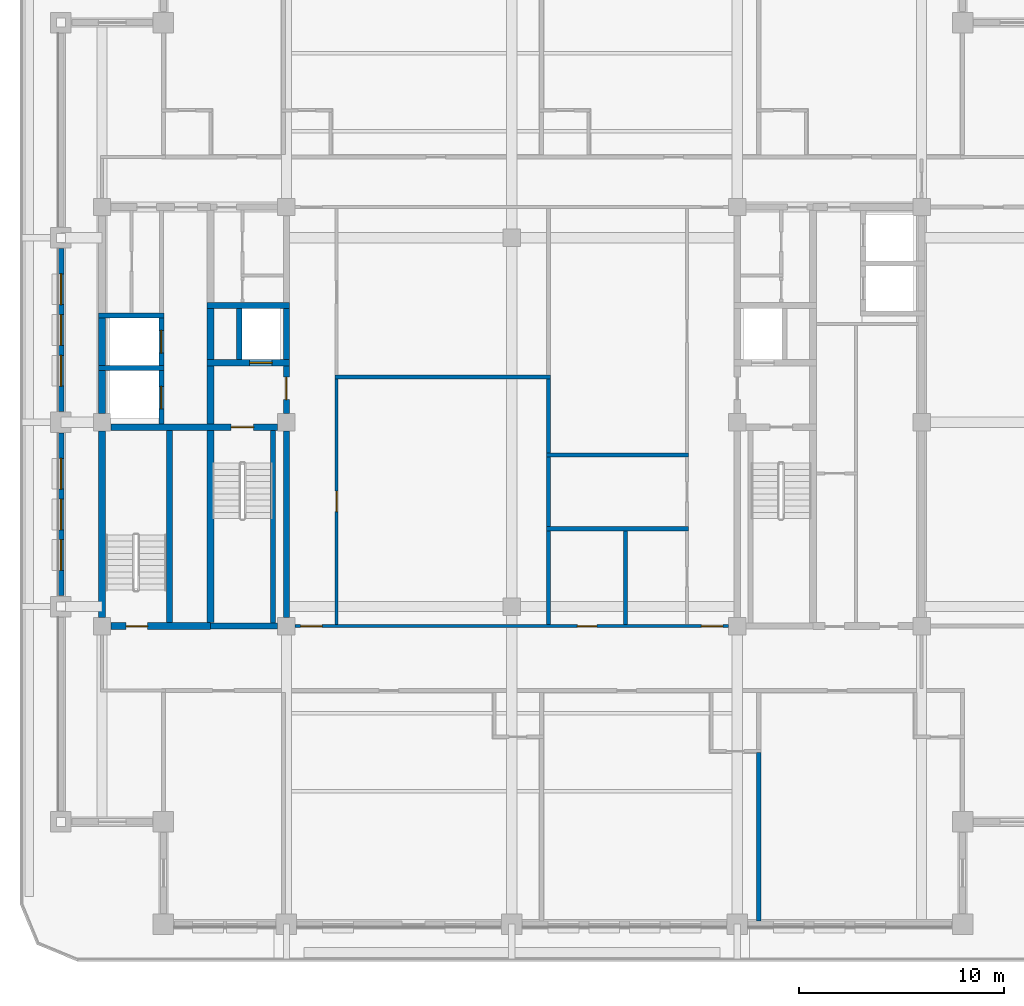
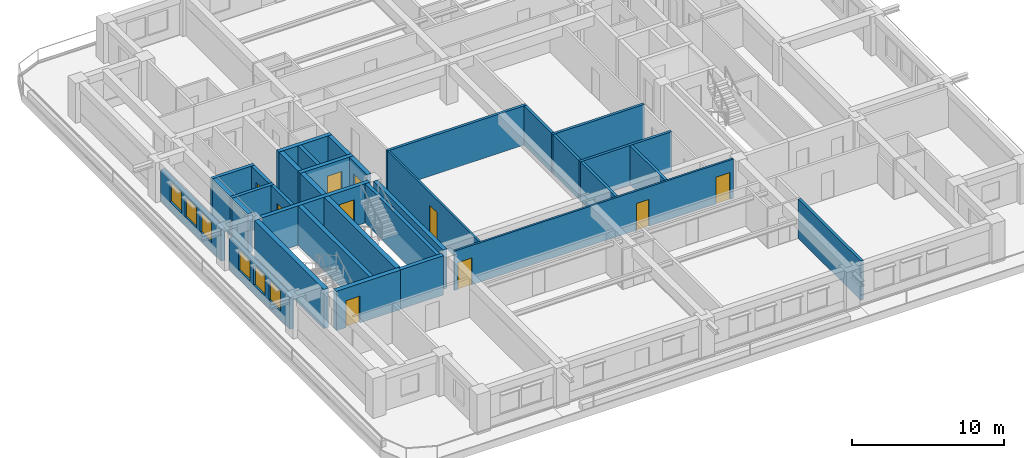
# One storey, part 3 of 14: 33 walls, 10 doors, 6 windows, 16 openings.
"""IFC4 building model written with IfcOpenShell, lengths in metres."""

from ifc_helpers import new_model, si_unit, direction, frame, frame_2d, origin, place, context, subcontext, project, spatial, rectangle, extrude, material, layer, layer_set, type_object, element, fill, save


model = new_model("IFC4")

# Units and contexts
model_context = context("Model", 3, precision=1e-05, world=origin(), true_north=direction((0.0, 1.0)))
body_context = subcontext(model_context, "Body", "Model", "MODEL_VIEW")
ifc_project = project(units=[si_unit("LENGTHUNIT", "METRE"), si_unit("AREAUNIT", "SQUARE_METRE"), si_unit("VOLUMEUNIT", "CUBIC_METRE"), si_unit("PLANEANGLEUNIT", "RADIAN"), si_unit("MASSUNIT", "GRAM", prefix="KILO")], contexts=[model_context])

# Site, building, storey
site_placement = place(None, origin())
site = spatial("IfcSite", under=ifc_project, at=site_placement, CompositionType="ELEMENT")
building_placement = place(site_placement, origin())
building = spatial("IfcBuilding", under=site, at=building_placement, Name="Zulmaris Gate Convention Tower", CompositionType="ELEMENT")
storey_placement = place(building_placement, frame((0.0, 0.0, 162.659912109375)))
storey = spatial("IfcBuildingStorey", under=building, at=storey_placement, Name="L41", CompositionType="ELEMENT", Elevation=162.659912109375)

# Walls
ifc_material_1 = material(Name="Concrete C50/60", Category="concrete")
ifc_layer_1 = layer(ifc_material_1, 0.25, Name="Concrete C50/60")
ifc_layer_set_1 = layer_set([ifc_layer_1], Name="Concrete C50/60")
wall_type_1 = type_object("IfcWallType", Name="CORE-250", PredefinedType="SOLIDWALL", material=ifc_layer_set_1)
for number, where, z_axis, x_axis, name in (
    (1, (-20.175048828125, 2.64990234375, 0.0), (0.0, 0.0, 1.0), (1.0, 0.0, 0.0), "WL-L41-007"),
    (2, (-20.175048828125, 5.199951171875, 0.0), (0.0, 0.0, 1.0), (1.0, 0.0, 0.0), "WL-L41-010"),
):
    element("IfcWall", number, at=place(storey_placement, frame(where, z_axis=z_axis, x_axis=x_axis)), inside=storey, type_object=wall_type_1, Name=name, PredefinedType="SOLIDWALL", context=body_context, shape_type="SweptSolid", body=[
        extrude(rectangle(XDim=3.199951171875, YDim=0.25, at=frame_2d((1.60009765625, 0.0))), origin(), (0.0, 0.0, 1.0), 3.14990234375),
    ])

# Wall, opening, door
wall_1_placement = place(storey_placement, frame((-17.10009765625, -0.097900390625, 0.0), z_axis=(0.0, 0.0, 1.0), x_axis=(0.0, 1.0, 0.0)))
wall_1 = element("IfcWall", 3, at=wall_1_placement, inside=storey, type_object=wall_type_1, Name="WL-L41-046", PredefinedType="SOLIDWALL", context=body_context, shape_type="SweptSolid", body=[
    extrude(rectangle(XDim=2.620849609375, YDim=0.25, at=frame_2d((1.310546875, 0.0))), origin(), (0.0, 0.0, 1.0), 3.14990234375),
])
opening_1_placement = place(wall_1_placement, frame((0.748046875, 0.0, 0.0)))
opening_1 = element("IfcOpeningElement", 4, at=opening_1_placement, cuts=wall_1, Name="Opening D-06", PredefinedType="OPENING", context=body_context, shape_type="SweptSolid", body=[
    extrude(rectangle(XDim=1.10009765625, YDim=2.199951171875, at=frame_2d((0.550048828125, 1.10009765625))), frame((0.0, 0.135009765625, 0.0), z_axis=(0.0, -1.0, 0.0), x_axis=(1.0, 0.0, 0.0)), (0.0, 0.0, 1.0), 0.27001953125),
])
ifc_material_2 = material(Name="Brushed Stainless Steel", Category="steel")
door_type_1 = type_object("IfcDoorType", Name="LD-1100", OperationType="NOTDEFINED", PredefinedType="DOOR", material=ifc_material_2)
door_1_placement = place(opening_1_placement, origin())
door_1 = element("IfcDoor", 5, at=door_1_placement, inside=storey, type_object=door_type_1, Name="L41 Lift Landing Door HP-03 14", OperationType="SLIDING_TO_LEFT", OverallHeight=2.199951171875, OverallWidth=1.10009765625, PredefinedType="DOOR", context=body_context, shape_type="SweptSolid", body=[
    extrude(rectangle(XDim=1.10009765625, YDim=2.199951171875, at=frame_2d((0.550048828125, 1.10009765625))), frame((0.0, 0.02490234375, 0.0), z_axis=(0.0, -1.0, 0.0), x_axis=(1.0, 0.0, 0.0)), (0.0, 0.0, 1.0), 0.050048828125),
])
fill(opening_1, door_1)

wall_2_placement = place(storey_placement, frame((-17.10009765625, 2.777099609375, 0.0), z_axis=(0.0, 0.0, 1.0), x_axis=(0.0, 1.0, 0.0)))
wall_2 = element("IfcWall", 6, at=wall_2_placement, inside=storey, type_object=wall_type_1, Name="WL-L41-047", PredefinedType="SOLIDWALL", context=body_context, shape_type="SweptSolid", body=[
    extrude(rectangle(XDim=2.2958984375, YDim=0.25, at=frame_2d((1.14794921875, 0.0))), origin(), (0.0, 0.0, 1.0), 3.14990234375),
])
opening_2_placement = place(wall_2_placement, frame((0.597900390625, 0.0, 0.0)))
opening_2 = element("IfcOpeningElement", 7, at=opening_2_placement, cuts=wall_2, Name="Opening D-06", PredefinedType="OPENING", context=body_context, shape_type="SweptSolid", body=[
    extrude(rectangle(XDim=1.10009765625, YDim=2.199951171875, at=frame_2d((0.550048828125, 1.10009765625))), frame((0.0, 0.135009765625, 0.0), z_axis=(0.0, -1.0, 0.0), x_axis=(1.0, 0.0, 0.0)), (0.0, 0.0, 1.0), 0.27001953125),
])
door_2_placement = place(opening_2_placement, origin())
door_2 = element("IfcDoor", 8, at=door_2_placement, inside=storey, type_object=door_type_1, Name="L41 Lift Landing Door HP-04 15", OperationType="SLIDING_TO_LEFT", OverallHeight=2.199951171875, OverallWidth=1.10009765625, PredefinedType="DOOR", context=body_context, shape_type="SweptSolid", body=[
    extrude(rectangle(XDim=1.10009765625, YDim=2.199951171875, at=frame_2d((0.550048828125, 1.10009765625))), frame((0.0, 0.02490234375, 0.0), z_axis=(0.0, -1.0, 0.0), x_axis=(1.0, 0.0, 0.0)), (0.0, 0.0, 1.0), 0.050048828125),
])
fill(opening_2, door_2)

# Walls
wall_3_placement = place(storey_placement, frame((-13.300048828125, 3.052001953125, 0.0), z_axis=(0.0, 0.0, 1.0), x_axis=(0.0, 1.0, 0.0)))
element("IfcWall", 9, at=wall_3_placement, inside=storey, type_object=wall_type_1, Name="WL-L41-053", PredefinedType="SOLIDWALL", context=body_context, shape_type="SweptSolid", body=[
    extrude(rectangle(XDim=2.49609375, YDim=0.25, at=frame_2d((1.248046875, 0.0))), origin(), (0.0, 0.0, 1.0), 3.14990234375),
])
wall_4_placement = place(storey_placement, frame((-11.64990234375, -9.798095703125, 0.0), z_axis=(0.0, 0.0, 1.0), x_axis=(0.0, 1.0, 0.0)))
element("IfcWall", 10, at=wall_4_placement, inside=storey, type_object=wall_type_1, Name="WL-L41-054", PredefinedType="SOLIDWALL", context=body_context, shape_type="SweptSolid", body=[
    extrude(rectangle(XDim=9.39599609375, YDim=0.25, at=frame_2d((4.697998046875, 0.0))), origin(), (0.0, 0.0, 1.0), 3.14990234375),
])
ifc_layer_2 = layer(ifc_material_1, 0.300048828125, Name="Concrete C50/60")
ifc_layer_set_2 = layer_set([ifc_layer_2], Name="Concrete C50/60")
wall_type_2 = type_object("IfcWallType", Name="CORE-300", PredefinedType="SHEAR", material=ifc_layer_set_2)
wall_5_placement = place(storey_placement, frame((-14.699951171875, -9.949951171875, 0.0), z_axis=(0.0, 0.0, 1.0), x_axis=(1.0, 0.0, 0.0)))
element("IfcWall", 11, at=wall_5_placement, inside=storey, type_object=wall_type_2, Name="WL-L41-002", PredefinedType="SHEAR", context=body_context, shape_type="SweptSolid", body=[
    extrude(rectangle(XDim=3.27099609375, YDim=0.300048828125, at=frame_2d((1.635498046875, 0.0))), origin(), (0.0, 0.0, 1.0), 3.14990234375),
])

# Wall, opening, door
wall_6_placement = place(storey_placement, frame((-19.571044921875, -0.25, 0.0), z_axis=(0.0, 0.0, 1.0), x_axis=(1.0, 0.0, 0.0)))
wall_6 = element("IfcWall", 12, at=wall_6_placement, inside=storey, type_object=wall_type_2, Name="WL-L41-005", PredefinedType="SHEAR", context=body_context, shape_type="SweptSolid", body=[
    extrude(rectangle(XDim=8.14208984375, YDim=0.300048828125, at=frame_2d((4.071044921875, 0.0))), origin(), (0.0, 0.0, 1.0), 3.14990234375),
])
opening_3_placement = place(wall_6_placement, frame((5.87109375, 0.0, 0.0)))
opening_3 = element("IfcOpeningElement", 13, at=opening_3_placement, cuts=wall_6, Name="Opening D-08", PredefinedType="OPENING", context=body_context, shape_type="SweptSolid", body=[
    extrude(rectangle(XDim=1.10009765625, YDim=2.14990234375, at=frame_2d((0.550048828125, 1.074951171875))), frame((0.0, 0.16015625, 0.0), z_axis=(0.0, -1.0, 0.0), x_axis=(1.0, 0.0, 0.0)), (0.0, 0.0, 1.0), 0.320068359375),
])
ifc_material_3 = material(Name="Fire-Rated Steel", Category="steel")
door_type_2 = type_object("IfcDoorType", Name="DR-1100-FD", OperationType="NOTDEFINED", PredefinedType="DOOR", material=ifc_material_3)
door_3_placement = place(opening_3_placement, origin())
door_3 = element("IfcDoor", 14, at=door_3_placement, inside=storey, type_object=door_type_2, Name="L41 Exit Stair ST-1 Door 01", OperationType="SINGLE_SWING_RIGHT", OverallHeight=2.14990234375, OverallWidth=1.10009765625, PredefinedType="DOOR", context=body_context, shape_type="SweptSolid", body=[
    extrude(rectangle(XDim=1.10009765625, YDim=2.14990234375, at=frame_2d((0.550048828125, 1.074951171875))), frame((0.0, 0.02490234375, 0.0), z_axis=(0.0, -1.0, 0.0), x_axis=(1.0, 0.0, 0.0)), (0.0, 0.0, 1.0), 0.050048828125),
])
fill(opening_3, door_3)

wall_7_placement = place(storey_placement, frame((-14.875, 2.89990234375, 0.0), z_axis=(0.0, 0.0, 1.0), x_axis=(1.0, 0.0, 0.0)))
wall_7 = element("IfcWall", 15, at=wall_7_placement, inside=storey, type_object=wall_type_2, Name="WL-L41-008", PredefinedType="SHEAR", context=body_context, shape_type="SweptSolid", body=[
    extrude(rectangle(XDim=4.02490234375, YDim=0.300048828125, at=frame_2d((2.012451171875, 0.0))), origin(), (0.0, 0.0, 1.0), 3.14990234375),
])
opening_4_placement = place(wall_7_placement, frame((2.074951171875, 0.0, 0.0)))
opening_4 = element("IfcOpeningElement", 16, at=opening_4_placement, cuts=wall_7, Name="Opening D-06", PredefinedType="OPENING", context=body_context, shape_type="SweptSolid", body=[
    extrude(rectangle(XDim=1.10009765625, YDim=2.199951171875, at=frame_2d((0.550048828125, 1.10009765625))), frame((0.0, 0.16015625, 0.0), z_axis=(0.0, -1.0, 0.0), x_axis=(1.0, 0.0, 0.0)), (0.0, 0.0, 1.0), 0.320068359375),
])
door_4_placement = place(opening_4_placement, origin())
door_4 = element("IfcDoor", 17, at=door_4_placement, inside=storey, type_object=door_type_1, Name="L41 Lift Landing Door LF-01 03", OperationType="SLIDING_TO_LEFT", OverallHeight=2.199951171875, OverallWidth=1.10009765625, PredefinedType="DOOR", context=body_context, shape_type="SweptSolid", body=[
    extrude(rectangle(XDim=1.10009765625, YDim=2.199951171875, at=frame_2d((0.550048828125, 1.10009765625))), frame((0.0, 0.02490234375, 0.0), z_axis=(0.0, -1.0, 0.0), x_axis=(1.0, 0.0, 0.0)), (0.0, 0.0, 1.0), 0.050048828125),
])
fill(opening_4, door_4)

# Walls
wall_8_placement = place(storey_placement, frame((-14.875, 5.699951171875, 0.0), z_axis=(0.0, 0.0, 1.0), x_axis=(1.0, 0.0, 0.0)))
element("IfcWall", 18, at=wall_8_placement, inside=storey, type_object=wall_type_2, Name="WL-L41-012", PredefinedType="SHEAR", context=body_context, shape_type="SweptSolid", body=[
    extrude(rectangle(XDim=4.02490234375, YDim=0.300048828125, at=frame_2d((2.012451171875, 0.0))), origin(), (0.0, 0.0, 1.0), 3.14990234375),
])
wall_9_placement = place(storey_placement, frame((-16.699951171875, -9.77294921875, 0.0), z_axis=(0.0, 0.0, 1.0), x_axis=(0.0, 1.0, 0.0)))
element("IfcWall", 19, at=wall_9_placement, inside=storey, type_object=wall_type_2, Name="WL-L41-048", PredefinedType="SHEAR", context=body_context, shape_type="SweptSolid", body=[
    extrude(rectangle(XDim=9.370849609375, YDim=0.300048828125, at=frame_2d((4.685546875, 0.0))), origin(), (0.0, 0.0, 1.0), 3.14990234375),
])
wall_10_placement = place(storey_placement, frame((-11.0, -9.52099609375, 0.0), z_axis=(0.0, 0.0, 1.0), x_axis=(0.0, 1.0, 0.0)))
element("IfcWall", 20, at=wall_10_placement, inside=storey, type_object=wall_type_2, Name="WL-L41-055", PredefinedType="SHEAR", context=body_context, shape_type="SweptSolid", body=[
    extrude(rectangle(XDim=9.092041015625, YDim=0.300048828125, at=frame_2d((4.5458984375, 0.0))), origin(), (0.0, 0.0, 1.0), 3.14990234375),
])

# Wall, opening, door
wall_11_placement = place(storey_placement, frame((-11.0, 0.428955078125, 0.0), z_axis=(0.0, 0.0, 1.0), x_axis=(0.0, 1.0, 0.0)))
wall_11 = element("IfcWall", 21, at=wall_11_placement, inside=storey, type_object=wall_type_2, Name="WL-L41-056", PredefinedType="SHEAR", context=body_context, shape_type="SweptSolid", body=[
    extrude(rectangle(XDim=2.319091796875, YDim=0.300048828125, at=frame_2d((1.15966796875, 0.0))), origin(), (0.0, 0.0, 1.0), 3.14990234375),
])
opening_5_placement = place(wall_11_placement, frame((0.6708984375, 0.0, 0.0)))
opening_5 = element("IfcOpeningElement", 22, at=opening_5_placement, cuts=wall_11, Name="Opening D-08", PredefinedType="OPENING", context=body_context, shape_type="SweptSolid", body=[
    extrude(rectangle(XDim=1.10009765625, YDim=2.14990234375, at=frame_2d((0.550048828125, 1.074951171875))), frame((0.0, 0.16015625, 0.0), z_axis=(0.0, -1.0, 0.0), x_axis=(1.0, 0.0, 0.0)), (0.0, 0.0, 1.0), 0.320068359375),
])
door_5_placement = place(opening_5_placement, origin())
door_5 = element("IfcDoor", 23, at=door_5_placement, inside=storey, type_object=door_type_2, Name="L41 West Firefighting Lobby Door 02", OperationType="SINGLE_SWING_LEFT", OverallHeight=2.14990234375, OverallWidth=1.10009765625, PredefinedType="DOOR", context=body_context, shape_type="SweptSolid", body=[
    extrude(rectangle(XDim=1.10009765625, YDim=2.14990234375, at=frame_2d((0.550048828125, 1.074951171875))), frame((0.0, 0.02490234375, 0.0), z_axis=(0.0, -1.0, 0.0), x_axis=(1.0, 0.0, 0.0)), (0.0, 0.0, 1.0), 0.050048828125),
])
fill(opening_5, door_5)

# Wall
wall_12_placement = place(storey_placement, frame((-11.0, 3.052001953125, 0.0), z_axis=(0.0, 0.0, 1.0), x_axis=(0.0, 1.0, 0.0)))
element("IfcWall", 24, at=wall_12_placement, inside=storey, type_object=wall_type_2, Name="WL-L41-057", PredefinedType="SHEAR", context=body_context, shape_type="SweptSolid", body=[
    extrude(rectangle(XDim=2.49609375, YDim=0.300048828125, at=frame_2d((1.248046875, 0.0))), origin(), (0.0, 0.0, 1.0), 3.14990234375),
])

# Wall, opening, door
ifc_material_4 = material(Name="Concrete C55/67", Category="concrete")
ifc_layer_3 = layer(ifc_material_4, 0.35009765625, Name="Concrete C55/67")
ifc_layer_set_3 = layer_set([ifc_layer_3], Name="Concrete C55/67")
wall_type_3 = type_object("IfcWallType", Name="CORE-350", PredefinedType="SHEAR", material=ifc_layer_set_3)
wall_13_placement = place(storey_placement, frame((-19.571044921875, -9.949951171875, 0.0), z_axis=(0.0, 0.0, 1.0), x_axis=(1.0, 0.0, 0.0)))
wall_13 = element("IfcWall", 25, at=wall_13_placement, inside=storey, type_object=wall_type_3, Name="WL-L41-001", PredefinedType="SHEAR", context=body_context, shape_type="SweptSolid", body=[
    extrude(rectangle(XDim=4.87109375, YDim=0.35009765625, at=frame_2d((2.435546875, 0.0))), origin(), (0.0, 0.0, 1.0), 3.14990234375),
])
opening_6_placement = place(wall_13_placement, frame((0.74609375, 0.0, 0.0)))
opening_6 = element("IfcOpeningElement", 26, at=opening_6_placement, cuts=wall_13, Name="Opening D-09", PredefinedType="OPENING", context=body_context, shape_type="SweptSolid", body=[
    extrude(rectangle(XDim=1.050048828125, YDim=2.14990234375, at=frame_2d((0.52490234375, 1.074951171875))), frame((0.0, 0.18505859375, 0.0), z_axis=(0.0, -1.0, 0.0), x_axis=(1.0, 0.0, 0.0)), (0.0, 0.0, 1.0), 0.3701171875),
])
door_type_3 = type_object("IfcDoorType", Name="DR-1050-FD", OperationType="NOTDEFINED", PredefinedType="DOOR", material=ifc_material_3)
door_6_placement = place(opening_6_placement, origin())
door_6 = element("IfcDoor", 27, at=door_6_placement, inside=storey, type_object=door_type_3, Name="L41 Exit Stair ST-3 Door 13", OperationType="SINGLE_SWING_RIGHT", OverallHeight=2.14990234375, OverallWidth=1.050048828125, PredefinedType="DOOR", context=body_context, shape_type="SweptSolid", body=[
    extrude(rectangle(XDim=1.050048828125, YDim=2.14990234375, at=frame_2d((0.52490234375, 1.074951171875))), frame((0.0, 0.02490234375, 0.0), z_axis=(0.0, -1.0, 0.0), x_axis=(1.0, 0.0, 0.0)), (0.0, 0.0, 1.0), 0.050048828125),
])
fill(opening_6, door_6)

# Walls
wall_14_placement = place(storey_placement, frame((-20.0, -9.52099609375, 0.0), z_axis=(0.0, 0.0, 1.0), x_axis=(0.0, 1.0, 0.0)))
element("IfcWall", 28, at=wall_14_placement, inside=storey, type_object=wall_type_3, Name="WL-L41-042", PredefinedType="SHEAR", context=body_context, shape_type="SweptSolid", body=[
    extrude(rectangle(XDim=9.092041015625, YDim=0.35009765625, at=frame_2d((4.5458984375, 0.0))), origin(), (0.0, 0.0, 1.0), 3.14990234375),
])
wall_15_placement = place(storey_placement, frame((-20.0, 0.428955078125, 0.0), z_axis=(0.0, 0.0, 1.0), x_axis=(0.0, 1.0, 0.0)))
element("IfcWall", 29, at=wall_15_placement, inside=storey, type_object=wall_type_3, Name="WL-L41-043", PredefinedType="SHEAR", context=body_context, shape_type="SweptSolid", body=[
    extrude(rectangle(XDim=2.093994140625, YDim=0.35009765625, at=frame_2d((1.046875, 0.0))), origin(), (0.0, 0.0, 1.0), 3.14990234375),
])
wall_16_placement = place(storey_placement, frame((-20.0, 2.777099609375, 0.0), z_axis=(0.0, 0.0, 1.0), x_axis=(0.0, 1.0, 0.0)))
element("IfcWall", 30, at=wall_16_placement, inside=storey, type_object=wall_type_3, Name="WL-L41-044", PredefinedType="SHEAR", context=body_context, shape_type="SweptSolid", body=[
    extrude(rectangle(XDim=2.2958984375, YDim=0.35009765625, at=frame_2d((1.14794921875, 0.0))), origin(), (0.0, 0.0, 1.0), 3.14990234375),
])
wall_17_placement = place(storey_placement, frame((-14.699951171875, -9.77294921875, 0.0), z_axis=(0.0, 0.0, 1.0), x_axis=(0.0, 1.0, 0.0)))
element("IfcWall", 31, at=wall_17_placement, inside=storey, type_object=wall_type_3, Name="WL-L41-049", PredefinedType="SHEAR", context=body_context, shape_type="SweptSolid", body=[
    extrude(rectangle(XDim=9.370849609375, YDim=0.35009765625, at=frame_2d((4.685546875, 0.0))), origin(), (0.0, 0.0, 1.0), 3.14990234375),
])
wall_18_placement = place(storey_placement, frame((-14.699951171875, -0.097900390625, 0.0), z_axis=(0.0, 0.0, 1.0), x_axis=(0.0, 1.0, 0.0)))
element("IfcWall", 32, at=wall_18_placement, inside=storey, type_object=wall_type_3, Name="WL-L41-050", PredefinedType="SHEAR", context=body_context, shape_type="SweptSolid", body=[
    extrude(rectangle(XDim=2.845947265625, YDim=0.35009765625, at=frame_2d((1.4228515625, 0.0))), origin(), (0.0, 0.0, 1.0), 3.14990234375),
])
wall_19_placement = place(storey_placement, frame((-14.699951171875, 3.052001953125, 0.0), z_axis=(0.0, 0.0, 1.0), x_axis=(0.0, 1.0, 0.0)))
element("IfcWall", 33, at=wall_19_placement, inside=storey, type_object=wall_type_3, Name="WL-L41-051", PredefinedType="SHEAR", context=body_context, shape_type="SweptSolid", body=[
    extrude(rectangle(XDim=2.49609375, YDim=0.35009765625, at=frame_2d((1.248046875, 0.0))), origin(), (0.0, 0.0, 1.0), 3.14990234375),
])

# Wall, openings, doors
ifc_material_5 = material(Name="Gypsum Metal Stud Partition")
ifc_layer_4 = layer(ifc_material_5, 0.14990234375, Name="Gypsum Metal Stud Partition")
ifc_layer_set_4 = layer_set([ifc_layer_4], Name="Gypsum Metal Stud Partition")
wall_type_4 = type_object("IfcWallType", Name="PART-150", PredefinedType="PARTITIONING", material=ifc_layer_set_4)
wall_20_placement = place(storey_placement, frame((-10.569091796875, -9.949951171875, 0.0), z_axis=(0.0, 0.0, 1.0), x_axis=(1.0, 0.0, 0.0)))
wall_20 = element("IfcWall", 34, at=wall_20_placement, inside=storey, type_object=wall_type_4, Name="WL-L41-024", PredefinedType="PARTITIONING", context=body_context, shape_type="SweptSolid", body=[
    extrude(rectangle(XDim=21.13818359375, YDim=0.14990234375, at=frame_2d((10.569091796875, 0.0))), origin(), (0.0, 0.0, 1.0), 3.14990234375),
])
opening_7_placement = place(wall_20_placement, frame((0.263916015625, 0.0, 0.0)))
opening_7 = element("IfcOpeningElement", 35, at=opening_7_placement, cuts=wall_20, Name="Opening D-09", PredefinedType="OPENING", context=body_context, shape_type="SweptSolid", body=[
    extrude(rectangle(XDim=1.050048828125, YDim=2.14990234375, at=frame_2d((0.52490234375, 1.074951171875))), frame((0.0, 0.0849609375, 0.0), z_axis=(0.0, -1.0, 0.0), x_axis=(1.0, 0.0, 0.0)), (0.0, 0.0, 1.0), 0.169921875),
])
opening_8_placement = place(wall_20_placement, frame((19.823974609375, 0.0, 0.0)))
opening_8 = element("IfcOpeningElement", 36, at=opening_8_placement, cuts=wall_20, Name="Opening D-09", PredefinedType="OPENING", context=body_context, shape_type="SweptSolid", body=[
    extrude(rectangle(XDim=1.050048828125, YDim=2.14990234375, at=frame_2d((0.52490234375, 1.074951171875))), frame((0.0, 0.0849609375, 0.0), z_axis=(0.0, -1.0, 0.0), x_axis=(1.0, 0.0, 0.0)), (0.0, 0.0, 1.0), 0.169921875),
])
opening_9_placement = place(wall_20_placement, frame((13.77392578125, 0.0, 0.0)))
opening_9 = element("IfcOpeningElement", 37, at=opening_9_placement, cuts=wall_20, Name="Opening D-11", PredefinedType="OPENING", context=body_context, shape_type="SweptSolid", body=[
    extrude(rectangle(XDim=0.949951171875, YDim=2.14990234375, at=frame_2d((0.47509765625, 1.074951171875))), frame((0.0, 0.0849609375, 0.0), z_axis=(0.0, -1.0, 0.0), x_axis=(1.0, 0.0, 0.0)), (0.0, 0.0, 1.0), 0.169921875),
])
door_7_placement = place(opening_7_placement, origin())
door_7 = element("IfcDoor", 38, at=door_7_placement, inside=storey, type_object=door_type_3, Name="L41 SW Hotel Loop Door 26", OperationType="SINGLE_SWING_LEFT", OverallHeight=2.14990234375, OverallWidth=1.050048828125, PredefinedType="DOOR", context=body_context, shape_type="SweptSolid", body=[
    extrude(rectangle(XDim=1.050048828125, YDim=2.14990234375, at=frame_2d((0.52490234375, 1.074951171875))), frame((0.0, 0.02490234375, 0.0), z_axis=(0.0, -1.0, 0.0), x_axis=(1.0, 0.0, 0.0)), (0.0, 0.0, 1.0), 0.050048828125),
])
fill(opening_7, door_7)
door_8_placement = place(opening_8_placement, origin())
door_8 = element("IfcDoor", 39, at=door_8_placement, inside=storey, type_object=door_type_3, Name="L41 SE Hotel Loop Door 28", OperationType="SINGLE_SWING_LEFT", OverallHeight=2.14990234375, OverallWidth=1.050048828125, PredefinedType="DOOR", context=body_context, shape_type="SweptSolid", body=[
    extrude(rectangle(XDim=1.050048828125, YDim=2.14990234375, at=frame_2d((0.52490234375, 1.074951171875))), frame((0.0, 0.02490234375, 0.0), z_axis=(0.0, -1.0, 0.0), x_axis=(1.0, 0.0, 0.0)), (0.0, 0.0, 1.0), 0.050048828125),
])
fill(opening_8, door_8)
ifc_material_6 = material(Name="Fire-Rated Timber", Category="wood")
door_type_4 = type_object("IfcDoorType", Name="DR-950-FD", OperationType="NOTDEFINED", PredefinedType="DOOR", material=ifc_material_6)
door_9_placement = place(opening_9_placement, origin())
door_9 = element("IfcDoor", 40, at=door_9_placement, inside=storey, type_object=door_type_4, Name="L41 Staging Store Door 49", OperationType="SINGLE_SWING_RIGHT", OverallHeight=2.14990234375, OverallWidth=0.949951171875, PredefinedType="DOOR", context=body_context, shape_type="SweptSolid", body=[
    extrude(rectangle(XDim=0.949951171875, YDim=2.14990234375, at=frame_2d((0.47509765625, 1.074951171875))), frame((0.0, 0.02490234375, 0.0), z_axis=(0.0, -1.0, 0.0), x_axis=(1.0, 0.0, 0.0)), (0.0, 0.0, 1.0), 0.050048828125),
])
fill(opening_9, door_9)

# Wall, opening, door
wall_21_placement = place(storey_placement, frame((-8.550048828125, -9.8720703125, 0.0), z_axis=(0.0, 0.0, 1.0), x_axis=(0.0, 1.0, 0.0)))
wall_21 = element("IfcWall", 41, at=wall_21_placement, inside=storey, type_object=wall_type_4, Name="WL-L41-088", PredefinedType="PARTITIONING", context=body_context, shape_type="SweptSolid", body=[
    extrude(rectangle(XDim=11.968994140625, YDim=0.14990234375, at=frame_2d((5.984375, 0.0))), origin(), (0.0, 0.0, 1.0), 3.14990234375),
])
opening_10_placement = place(wall_21_placement, frame((5.501953125, 0.0, 0.0)))
opening_10 = element("IfcOpeningElement", 42, at=opening_10_placement, cuts=wall_21, Name="Opening D-10", PredefinedType="OPENING", context=body_context, shape_type="SweptSolid", body=[
    extrude(rectangle(XDim=1.0, YDim=2.14990234375, at=frame_2d((0.5, 1.074951171875))), frame((0.0, 0.0849609375, 0.0), z_axis=(0.0, -1.0, 0.0), x_axis=(1.0, 0.0, 0.0)), (0.0, 0.0, 1.0), 0.169921875),
])
door_type_5 = type_object("IfcDoorType", Name="DR-1000-FD", OperationType="NOTDEFINED", PredefinedType="DOOR", material=ifc_material_6)
door_10_placement = place(opening_10_placement, origin())
door_10 = element("IfcDoor", 43, at=door_10_placement, inside=storey, type_object=door_type_5, Name="L41 Guest Study Door 45", OperationType="SINGLE_SWING_RIGHT", OverallHeight=2.14990234375, OverallWidth=1.0, PredefinedType="DOOR", context=body_context, shape_type="SweptSolid", body=[
    extrude(rectangle(XDim=1.0, YDim=2.14990234375, at=frame_2d((0.5, 1.074951171875))), frame((0.0, 0.02490234375, 0.0), z_axis=(0.0, -1.0, 0.0), x_axis=(1.0, 0.0, 0.0)), (0.0, 0.0, 1.0), 0.050048828125),
])
fill(opening_10, door_10)

# Walls
ifc_material_7 = material(Name="Autoclaved Aerated Concrete Block and Plasterboard", Category="concrete")
ifc_layer_5 = layer(ifc_material_7, 0.199951171875, Name="Autoclaved Aerated Concrete Block and Plasterboard")
ifc_layer_set_5 = layer_set([ifc_layer_5], Name="Autoclaved Aerated Concrete Block and Plasterboard")
wall_type_5 = type_object("IfcWallType", Name="PART-200", PredefinedType="PARTITIONING", material=ifc_layer_set_5)
for number, where, z_axis, x_axis, name in (
    (44, (1.699951171875, -5.199951171875, 0.0), (0.0, 0.0, 1.0), (1.0, 0.0, 0.0), "WL-L41-026"),
    (45, (1.699951171875, -1.60009765625, 0.0), (0.0, 0.0, 1.0), (1.0, 0.0, 0.0), "WL-L41-028"),
):
    element("IfcWall", number, at=place(storey_placement, frame(where, z_axis=z_axis, x_axis=x_axis)), inside=storey, type_object=wall_type_5, Name=name, PredefinedType="PARTITIONING", context=body_context, shape_type="SweptSolid", body=[
        extrude(rectangle(XDim=6.925048828125, YDim=0.199951171875, at=frame_2d((3.46240234375, 0.0))), origin(), (0.0, 0.0, 1.0), 3.14990234375),
    ])
wall_22_placement = place(storey_placement, frame((-8.625, 2.199951171875, 0.0), z_axis=(0.0, 0.0, 1.0), x_axis=(1.0, 0.0, 0.0)))
element("IfcWall", 46, at=wall_22_placement, inside=storey, type_object=wall_type_5, Name="WL-L41-029", PredefinedType="PARTITIONING", context=body_context, shape_type="SweptSolid", body=[
    extrude(rectangle(XDim=10.52490234375, YDim=0.199951171875, at=frame_2d((5.262451171875, 0.0))), origin(), (0.0, 0.0, 1.0), 3.14990234375),
])
wall_23_placement = place(storey_placement, frame((1.800048828125, -9.8720703125, 0.0), z_axis=(0.0, 0.0, 1.0), x_axis=(0.0, 1.0, 0.0)))
element("IfcWall", 47, at=wall_23_placement, inside=storey, type_object=wall_type_5, Name="WL-L41-095", PredefinedType="PARTITIONING", context=body_context, shape_type="SweptSolid", body=[
    extrude(rectangle(XDim=4.569091796875, YDim=0.199951171875, at=frame_2d((2.28466796875, 0.0))), origin(), (0.0, 0.0, 1.0), 3.14990234375),
])
wall_24_placement = place(storey_placement, frame((1.800048828125, -5.096923828125, 0.0), z_axis=(0.0, 0.0, 1.0), x_axis=(0.0, 1.0, 0.0)))
element("IfcWall", 48, at=wall_24_placement, inside=storey, type_object=wall_type_5, Name="WL-L41-096", PredefinedType="PARTITIONING", context=body_context, shape_type="SweptSolid", body=[
    extrude(rectangle(XDim=3.39404296875, YDim=0.199951171875, at=frame_2d((1.697021484375, 0.0))), origin(), (0.0, 0.0, 1.0), 3.14990234375),
])
wall_25_placement = place(storey_placement, frame((1.800048828125, -1.4970703125, 0.0), z_axis=(0.0, 0.0, 1.0), x_axis=(0.0, 1.0, 0.0)))
element("IfcWall", 49, at=wall_25_placement, inside=storey, type_object=wall_type_5, Name="WL-L41-097", PredefinedType="PARTITIONING", context=body_context, shape_type="SweptSolid", body=[
    extrude(rectangle(XDim=3.593994140625, YDim=0.199951171875, at=frame_2d((1.796875, 0.0))), origin(), (0.0, 0.0, 1.0), 3.14990234375),
])
wall_26_placement = place(storey_placement, frame((5.550048828125, -9.8720703125, 0.0), z_axis=(0.0, 0.0, 1.0), x_axis=(0.0, 1.0, 0.0)))
element("IfcWall", 50, at=wall_26_placement, inside=storey, type_object=wall_type_5, Name="WL-L41-100", PredefinedType="PARTITIONING", context=body_context, shape_type="SweptSolid", body=[
    extrude(rectangle(XDim=4.569091796875, YDim=0.199951171875, at=frame_2d((2.28466796875, 0.0))), origin(), (0.0, 0.0, 1.0), 3.14990234375),
])
wall_27_placement = place(storey_placement, frame((12.050048828125, -24.3349609375, 0.0), z_axis=(0.0, 0.0, 1.0), x_axis=(0.0, 1.0, 0.0)))
element("IfcWall", 51, at=wall_27_placement, inside=storey, type_object=wall_type_5, Name="WL-L41-105", PredefinedType="PARTITIONING", context=body_context, shape_type="SweptSolid", body=[
    extrude(rectangle(XDim=8.20703125, YDim=0.199951171875, at=frame_2d((4.103515625, 0.0))), origin(), (0.0, 0.0, 1.0), 3.14990234375),
])

# Wall, openings, windows
ifc_material_8 = material(Name="Precast concrete C40/50", Category="concrete")
ifc_layer_6 = layer(ifc_material_8, 0.300048828125, Name="Precast concrete C40/50")
ifc_layer_set_6 = layer_set([ifc_layer_6], Name="Precast concrete C40/50")
wall_type_6 = type_object("IfcWallType", Name="PRECAST-PIER-300", PredefinedType="STANDARD", material=ifc_layer_set_6)
wall_28_placement = place(storey_placement, frame((-22.0, -0.530029296875, 0.0), z_axis=(0.0, 0.0, 1.0), x_axis=(0.0, -1.0, 0.0)))
wall_28 = element("IfcWall", 52, at=wall_28_placement, inside=storey, type_object=wall_type_6, Name="EW-L41-W-1_0", PredefinedType="STANDARD", context=body_context, shape_type="SweptSolid", body=[
    extrude(rectangle(XDim=7.93994140625, YDim=0.300048828125, at=frame_2d((3.969970703125, 0.0))), origin(), (0.0, 0.0, 1.0), 2.5419921875),
])
opening_11_placement = place(wall_28_placement, frame((1.235107421875, 0.0, 0.719970703125)))
opening_11 = element("IfcOpeningElement", 53, at=opening_11_placement, cuts=wall_28, Name="Opening W-03", PredefinedType="OPENING", context=body_context, shape_type="SweptSolid", body=[
    extrude(rectangle(XDim=1.5, YDim=1.60009765625, at=frame_2d((0.75, 0.800048828125))), frame((0.0, 0.16015625, 0.0), z_axis=(0.0, -1.0, 0.0), x_axis=(1.0, 0.0, 0.0)), (0.0, 0.0, 1.0), 0.320068359375),
])
opening_12_placement = place(wall_28_placement, frame((3.219970703125, 0.0, 0.719970703125)))
opening_12 = element("IfcOpeningElement", 54, at=opening_12_placement, cuts=wall_28, Name="Opening W-03", PredefinedType="OPENING", context=body_context, shape_type="SweptSolid", body=[
    extrude(rectangle(XDim=1.5, YDim=1.60009765625, at=frame_2d((0.75, 0.800048828125))), frame((0.0, 0.16015625, 0.0), z_axis=(0.0, -1.0, 0.0), x_axis=(1.0, 0.0, 0.0)), (0.0, 0.0, 1.0), 0.320068359375),
])
opening_13_placement = place(wall_28_placement, frame((5.205078125, 0.0, 0.719970703125)))
opening_13 = element("IfcOpeningElement", 55, at=opening_13_placement, cuts=wall_28, Name="Opening W-03", PredefinedType="OPENING", context=body_context, shape_type="SweptSolid", body=[
    extrude(rectangle(XDim=1.5, YDim=1.60009765625, at=frame_2d((0.75, 0.800048828125))), frame((0.0, 0.16015625, 0.0), z_axis=(0.0, -1.0, 0.0), x_axis=(1.0, 0.0, 0.0)), (0.0, 0.0, 1.0), 0.320068359375),
])
ifc_material_9 = material(Name="Low-E Laminated Double Glazing in Aluminium Frame", Category="aluminium")
window_type = type_object("IfcWindowType", Name="WIN-1500x2100", PartitioningType="SINGLE_PANEL", PredefinedType="WINDOW", material=ifc_material_9)
window_1_placement = place(opening_11_placement, origin())
window_1 = element("IfcWindow", 56, at=window_1_placement, inside=storey, type_object=window_type, Name="WN-EW-L41-W-1_0-1", OverallHeight=1.60009765625, OverallWidth=1.5, PartitioningType="SINGLE_PANEL", PredefinedType="WINDOW", context=body_context, shape_type="SweptSolid", body=[
    extrude(rectangle(XDim=1.5, YDim=1.60009765625, at=frame_2d((0.75, 0.800048828125))), frame((0.0, 0.030029296875, 0.0), z_axis=(0.0, -1.0, 0.0), x_axis=(1.0, 0.0, 0.0)), (0.0, 0.0, 1.0), 0.06005859375),
])
fill(opening_11, window_1)
window_2_placement = place(opening_12_placement, origin())
window_2 = element("IfcWindow", 57, at=window_2_placement, inside=storey, type_object=window_type, Name="WN-EW-L41-W-1_0-2", OverallHeight=1.60009765625, OverallWidth=1.5, PartitioningType="SINGLE_PANEL", PredefinedType="WINDOW", context=body_context, shape_type="SweptSolid", body=[
    extrude(rectangle(XDim=1.5, YDim=1.60009765625, at=frame_2d((0.75, 0.800048828125))), frame((0.0, 0.030029296875, 0.0), z_axis=(0.0, -1.0, 0.0), x_axis=(1.0, 0.0, 0.0)), (0.0, 0.0, 1.0), 0.06005859375),
])
fill(opening_12, window_2)
window_3_placement = place(opening_13_placement, origin())
window_3 = element("IfcWindow", 58, at=window_3_placement, inside=storey, type_object=window_type, Name="WN-EW-L41-W-1_0-3", OverallHeight=1.60009765625, OverallWidth=1.5, PartitioningType="SINGLE_PANEL", PredefinedType="WINDOW", context=body_context, shape_type="SweptSolid", body=[
    extrude(rectangle(XDim=1.5, YDim=1.60009765625, at=frame_2d((0.75, 0.800048828125))), frame((0.0, 0.030029296875, 0.0), z_axis=(0.0, -1.0, 0.0), x_axis=(1.0, 0.0, 0.0)), (0.0, 0.0, 1.0), 0.06005859375),
])
fill(opening_13, window_3)

wall_29_placement = place(storey_placement, frame((-22.0, 8.469970703125, 0.0), z_axis=(0.0, 0.0, 1.0), x_axis=(0.0, -1.0, 0.0)))
wall_29 = element("IfcWall", 59, at=wall_29_placement, inside=storey, type_object=wall_type_6, Name="EW-L41-W-2_0", PredefinedType="STANDARD", context=body_context, shape_type="SweptSolid", body=[
    extrude(rectangle(XDim=7.93994140625, YDim=0.300048828125, at=frame_2d((3.969970703125, 0.0))), origin(), (0.0, 0.0, 1.0), 2.5419921875),
])
opening_14_placement = place(wall_29_placement, frame((1.235107421875, 0.0, 0.719970703125)))
opening_14 = element("IfcOpeningElement", 60, at=opening_14_placement, cuts=wall_29, Name="Opening W-03", PredefinedType="OPENING", context=body_context, shape_type="SweptSolid", body=[
    extrude(rectangle(XDim=1.5, YDim=1.60009765625, at=frame_2d((0.75, 0.800048828125))), frame((0.0, 0.16015625, 0.0), z_axis=(0.0, -1.0, 0.0), x_axis=(1.0, 0.0, 0.0)), (0.0, 0.0, 1.0), 0.320068359375),
])
opening_15_placement = place(wall_29_placement, frame((3.219970703125, 0.0, 0.719970703125)))
opening_15 = element("IfcOpeningElement", 61, at=opening_15_placement, cuts=wall_29, Name="Opening W-03", PredefinedType="OPENING", context=body_context, shape_type="SweptSolid", body=[
    extrude(rectangle(XDim=1.5, YDim=1.60009765625, at=frame_2d((0.75, 0.800048828125))), frame((0.0, 0.16015625, 0.0), z_axis=(0.0, -1.0, 0.0), x_axis=(1.0, 0.0, 0.0)), (0.0, 0.0, 1.0), 0.320068359375),
])
opening_16_placement = place(wall_29_placement, frame((5.205078125, 0.0, 0.719970703125)))
opening_16 = element("IfcOpeningElement", 62, at=opening_16_placement, cuts=wall_29, Name="Opening W-03", PredefinedType="OPENING", context=body_context, shape_type="SweptSolid", body=[
    extrude(rectangle(XDim=1.5, YDim=1.60009765625, at=frame_2d((0.75, 0.800048828125))), frame((0.0, 0.16015625, 0.0), z_axis=(0.0, -1.0, 0.0), x_axis=(1.0, 0.0, 0.0)), (0.0, 0.0, 1.0), 0.320068359375),
])
window_4_placement = place(opening_14_placement, origin())
window_4 = element("IfcWindow", 63, at=window_4_placement, inside=storey, type_object=window_type, Name="WN-EW-L41-W-2_0-1", OverallHeight=1.60009765625, OverallWidth=1.5, PartitioningType="SINGLE_PANEL", PredefinedType="WINDOW", context=body_context, shape_type="SweptSolid", body=[
    extrude(rectangle(XDim=1.5, YDim=1.60009765625, at=frame_2d((0.75, 0.800048828125))), frame((0.0, 0.030029296875, 0.0), z_axis=(0.0, -1.0, 0.0), x_axis=(1.0, 0.0, 0.0)), (0.0, 0.0, 1.0), 0.06005859375),
])
fill(opening_14, window_4)
window_5_placement = place(opening_15_placement, origin())
window_5 = element("IfcWindow", 64, at=window_5_placement, inside=storey, type_object=window_type, Name="WN-EW-L41-W-2_0-2", OverallHeight=1.60009765625, OverallWidth=1.5, PartitioningType="SINGLE_PANEL", PredefinedType="WINDOW", context=body_context, shape_type="SweptSolid", body=[
    extrude(rectangle(XDim=1.5, YDim=1.60009765625, at=frame_2d((0.75, 0.800048828125))), frame((0.0, 0.030029296875, 0.0), z_axis=(0.0, -1.0, 0.0), x_axis=(1.0, 0.0, 0.0)), (0.0, 0.0, 1.0), 0.06005859375),
])
fill(opening_15, window_5)
window_6_placement = place(opening_16_placement, origin())
window_6 = element("IfcWindow", 65, at=window_6_placement, inside=storey, type_object=window_type, Name="WN-EW-L41-W-2_0-3", OverallHeight=1.60009765625, OverallWidth=1.5, PartitioningType="SINGLE_PANEL", PredefinedType="WINDOW", context=body_context, shape_type="SweptSolid", body=[
    extrude(rectangle(XDim=1.5, YDim=1.60009765625, at=frame_2d((0.75, 0.800048828125))), frame((0.0, 0.030029296875, 0.0), z_axis=(0.0, -1.0, 0.0), x_axis=(1.0, 0.0, 0.0)), (0.0, 0.0, 1.0), 0.06005859375),
])
fill(opening_16, window_6)

save(model, "model.ifc")
